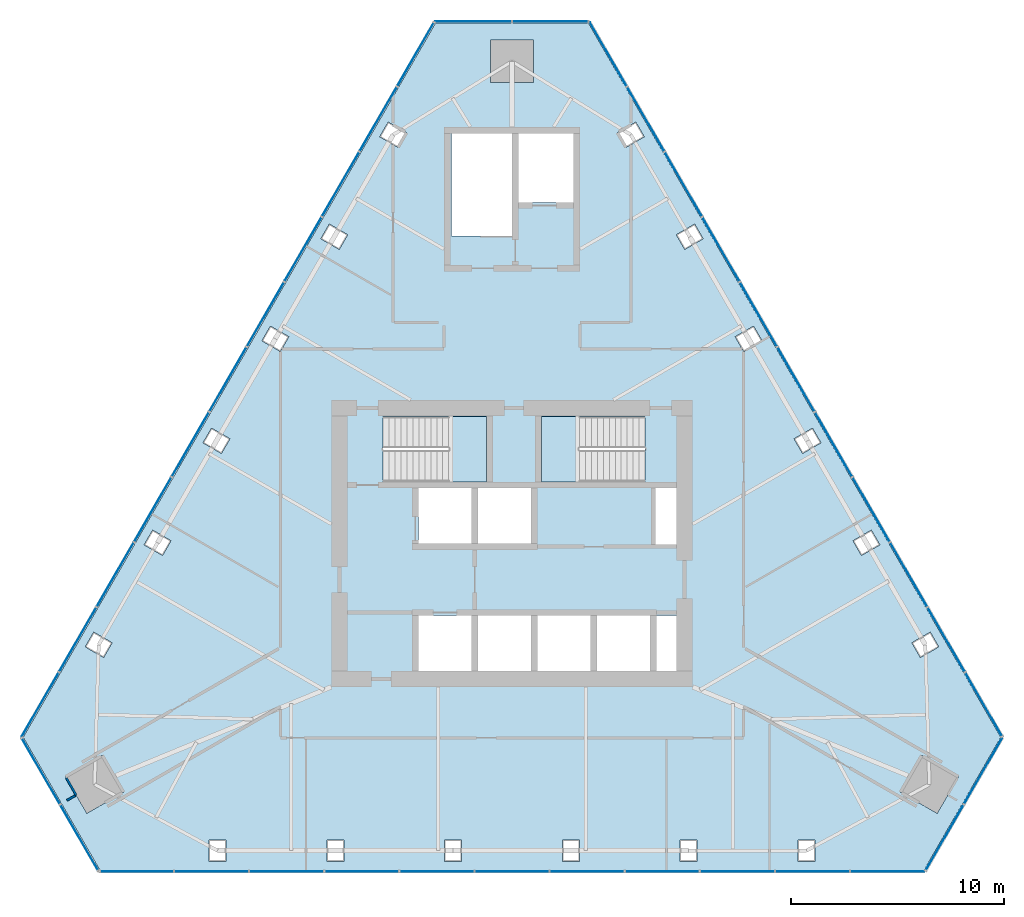
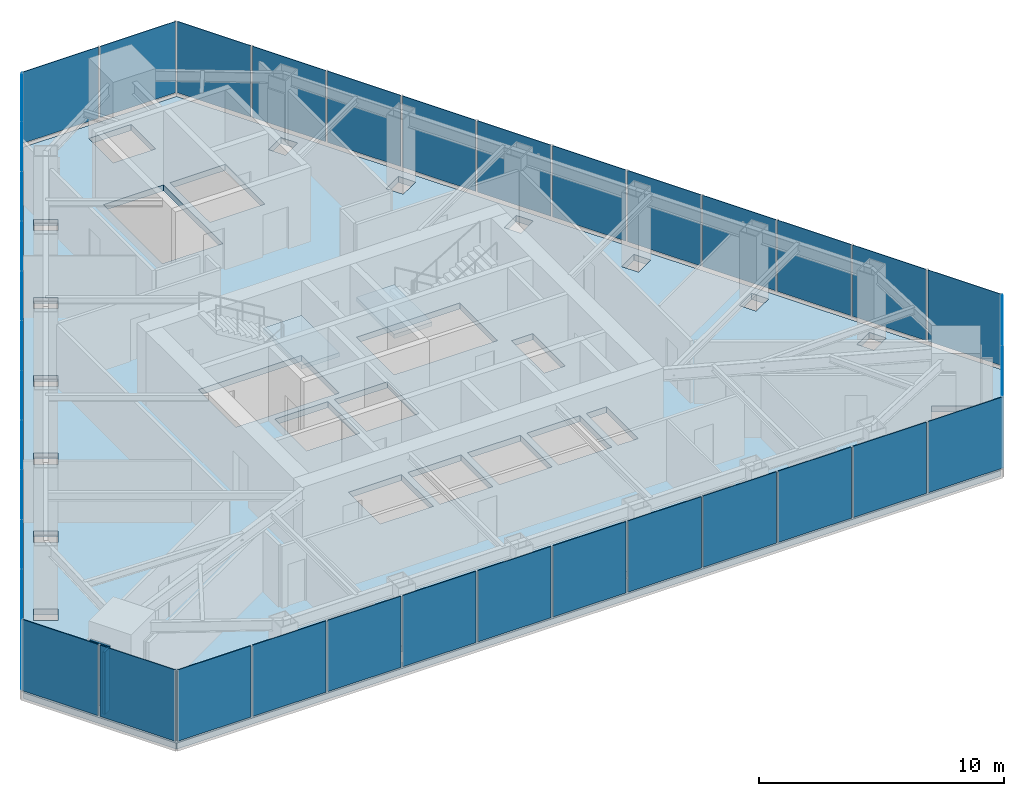
# One storey, part 10 of 13: 39 plates, 3 slabs, 2 walls, 8 elements without a shape of their own.
"""IFC4 building model written with IfcOpenShell, lengths in metres."""

from ifc_helpers import new_model, si_unit, direction, frame, frame_2d, origin, place, context, subcontext, project, spatial, polyline, rectangle, outline, extrude, material, layer, layer_set, type_object, element, aggregate, save


model = new_model("IFC4")

# Units and contexts
model_context = context("Model", 3, precision=1e-05, world=origin(), true_north=direction((0.0, 1.0)))
body_context = subcontext(model_context, "Body", "Model", "MODEL_VIEW")
ifc_project = project(units=[si_unit("LENGTHUNIT", "METRE"), si_unit("AREAUNIT", "SQUARE_METRE"), si_unit("VOLUMEUNIT", "CUBIC_METRE"), si_unit("PLANEANGLEUNIT", "RADIAN"), si_unit("MASSUNIT", "GRAM", prefix="KILO")], contexts=[model_context])

# Site, building, storey
site_placement = place(None, origin())
site = spatial("IfcSite", under=ifc_project, at=site_placement, CompositionType="ELEMENT")
building_placement = place(site_placement, origin())
building = spatial("IfcBuilding", under=site, at=building_placement, Name="Firuza Gate Tower and Library", CompositionType="ELEMENT")
storey_placement = place(building_placement, frame((0.0, 0.0, 335.60009765625)))
storey = spatial("IfcBuildingStorey", under=building, at=storey_placement, Name="L82", CompositionType="ELEMENT", Elevation=335.60009765625)

# Curtain wall, plates
ifc_material_1 = material(Name="Aluminium 6063-T6", Category="aluminium")
ifc_layer_1 = layer(ifc_material_1, 0.14990234375)
ifc_layer_set_1 = layer_set([ifc_layer_1], Name="Ceramic screen wall, crown plant")
curtain_wall_type = type_object("IfcCurtainWallType", Name="Ceramic screen wall, crown plant", PredefinedType="NOTDEFINED", material=ifc_layer_set_1)
placement_1 = place(storey_placement, origin())
curtain_wall_1 = element("IfcCurtainWall", 1, at=placement_1, inside=storey, type_object=curtain_wall_type, Name="CW6 L82 S", PredefinedType="NOTDEFINED")
ifc_material_2 = material(Name="Fritted glass", Category="glass")
ifc_layer_2 = layer(ifc_material_2, 0.06005859375)
ifc_layer_set_2 = layer_set([ifc_layer_2], Name="Ceramic screen unit, crown plant")
plate_type = type_object("IfcPlateType", Name="Ceramic screen unit, crown plant", PredefinedType="CURTAIN_PANEL", material=ifc_layer_set_2)
plate_1_placement = place(storey_placement, frame((55.5966796875, 59.552490234375, 0.14990234375), z_axis=(0.0, -1.0, 0.0), x_axis=(1.0, 0.0, 0.0)))
plate_1 = element("IfcPlate", 2, at=plate_1_placement, type_object=plate_type, Name="Glass unit", PredefinedType="CURTAIN_PANEL", context=body_context, shape_type="SweptSolid", body=[
    extrude(outline(polyline([(0.0, 0.0), (3.455078125, 0.0), (3.455078125, 3.550048828125), (0.0, 3.550048828125), (0.0, 0.0)])), origin(), (0.0, 0.0, -1.0), 0.030029296875),
])
plate_2_placement = place(storey_placement, frame((59.1318359375, 59.552490234375, 0.14990234375), z_axis=(0.0, -1.0, 0.0), x_axis=(1.0, 0.0, 0.0)))
plate_2 = element("IfcPlate", 3, at=plate_2_placement, type_object=plate_type, Name="Glass unit", PredefinedType="CURTAIN_PANEL", context=body_context, shape_type="SweptSolid", body=[
    extrude(outline(polyline([(0.0, 0.0), (3.455078125, 0.0), (3.455078125, 3.550048828125), (0.0, 3.550048828125), (0.0, 0.0)])), origin(), (0.0, 0.0, -1.0), 0.030029296875),
])
plate_3_placement = place(storey_placement, frame((62.6669921875, 59.552490234375, 0.14990234375), z_axis=(0.0, -1.0, 0.0), x_axis=(1.0, 0.0, 0.0)))
plate_3 = element("IfcPlate", 4, at=plate_3_placement, type_object=plate_type, Name="Glass unit", PredefinedType="CURTAIN_PANEL", context=body_context, shape_type="SweptSolid", body=[
    extrude(outline(polyline([(0.0, 0.0), (3.455078125, 0.0), (3.455078125, 3.550048828125), (0.0, 3.550048828125), (0.0, 0.0)])), origin(), (0.0, 0.0, -1.0), 0.030029296875),
])
plate_4_placement = place(storey_placement, frame((66.2021484375, 59.552490234375, 0.14990234375), z_axis=(0.0, -1.0, 0.0), x_axis=(1.0, 0.0, 0.0)))
plate_4 = element("IfcPlate", 5, at=plate_4_placement, type_object=plate_type, Name="Glass unit", PredefinedType="CURTAIN_PANEL", context=body_context, shape_type="SweptSolid", body=[
    extrude(outline(polyline([(0.0, 0.0), (3.455078125, 0.0), (3.455078125, 3.550048828125), (0.0, 3.550048828125), (0.0, 0.0)])), origin(), (0.0, 0.0, -1.0), 0.030029296875),
])
plate_5_placement = place(storey_placement, frame((69.7373046875, 59.552490234375, 0.14990234375), z_axis=(0.0, -1.0, 0.0), x_axis=(1.0, 0.0, 0.0)))
plate_5 = element("IfcPlate", 6, at=plate_5_placement, type_object=plate_type, Name="Glass unit", PredefinedType="CURTAIN_PANEL", context=body_context, shape_type="SweptSolid", body=[
    extrude(outline(polyline([(0.0, 0.0), (3.455078125, 0.0), (3.455078125, 3.550048828125), (0.0, 3.550048828125), (0.0, 0.0)])), origin(), (0.0, 0.0, -1.0), 0.030029296875),
])
plate_6_placement = place(storey_placement, frame((73.2724609375, 59.552490234375, 0.14990234375), z_axis=(0.0, -1.0, 0.0), x_axis=(1.0, 0.0, 0.0)))
plate_6 = element("IfcPlate", 7, at=plate_6_placement, type_object=plate_type, Name="Glass unit", PredefinedType="CURTAIN_PANEL", context=body_context, shape_type="SweptSolid", body=[
    extrude(outline(polyline([(0.0, 0.0), (3.455078125, 0.0), (3.455078125, 3.550048828125), (0.0, 3.550048828125), (0.0, 0.0)])), origin(), (0.0, 0.0, -1.0), 0.030029296875),
])
plate_7_placement = place(storey_placement, frame((76.8076171875, 59.552490234375, 0.14990234375), z_axis=(0.0, -1.0, 0.0), x_axis=(1.0, 0.0, 0.0)))
plate_7 = element("IfcPlate", 8, at=plate_7_placement, type_object=plate_type, Name="Glass unit", PredefinedType="CURTAIN_PANEL", context=body_context, shape_type="SweptSolid", body=[
    extrude(outline(polyline([(0.0, 0.0), (3.455078125, 0.0), (3.455078125, 3.550048828125), (0.0, 3.550048828125), (0.0, 0.0)])), origin(), (0.0, 0.0, -1.0), 0.030029296875),
])
plate_8_placement = place(storey_placement, frame((80.3427734375, 59.552490234375, 0.14990234375), z_axis=(0.0, -1.0, 0.0), x_axis=(1.0, 0.0, 0.0)))
plate_8 = element("IfcPlate", 9, at=plate_8_placement, type_object=plate_type, Name="Glass unit", PredefinedType="CURTAIN_PANEL", context=body_context, shape_type="SweptSolid", body=[
    extrude(outline(polyline([(0.0, 0.0), (3.455078125, 0.0), (3.455078125, 3.550048828125), (0.0, 3.550048828125), (0.0, 0.0)])), origin(), (0.0, 0.0, -1.0), 0.030029296875),
])
plate_9_placement = place(storey_placement, frame((83.8779296875, 59.552490234375, 0.14990234375), z_axis=(0.0, -1.0, 0.0), x_axis=(1.0, 0.0, 0.0)))
plate_9 = element("IfcPlate", 10, at=plate_9_placement, type_object=plate_type, Name="Glass unit", PredefinedType="CURTAIN_PANEL", context=body_context, shape_type="SweptSolid", body=[
    extrude(outline(polyline([(0.0, 0.0), (3.455078125, 0.0), (3.455078125, 3.550048828125), (0.0, 3.550048828125), (0.0, 0.0)])), origin(), (0.0, 0.0, -1.0), 0.030029296875),
])
plate_10_placement = place(storey_placement, frame((87.4130859375, 59.552490234375, 0.14990234375), z_axis=(0.0, -1.0, 0.0), x_axis=(1.0, 0.0, 0.0)))
plate_10 = element("IfcPlate", 11, at=plate_10_placement, type_object=plate_type, Name="Glass unit", PredefinedType="CURTAIN_PANEL", context=body_context, shape_type="SweptSolid", body=[
    extrude(outline(polyline([(0.0, 0.0), (3.455078125, 0.0), (3.455078125, 3.550048828125), (0.0, 3.550048828125), (0.0, 0.0)])), origin(), (0.0, 0.0, -1.0), 0.030029296875),
])
plate_11_placement = place(storey_placement, frame((90.9482421875, 59.552490234375, 0.14990234375), z_axis=(0.0, -1.0, 0.0), x_axis=(1.0, 0.0, 0.0)))
plate_11 = element("IfcPlate", 12, at=plate_11_placement, type_object=plate_type, Name="Glass unit", PredefinedType="CURTAIN_PANEL", context=body_context, shape_type="SweptSolid", body=[
    extrude(outline(polyline([(0.0, 0.0), (3.455078125, 0.0), (3.455078125, 3.550048828125), (0.0, 3.550048828125), (0.0, 0.0)])), origin(), (0.0, 0.0, -1.0), 0.030029296875),
])
aggregate(curtain_wall_1, [plate_1, plate_2, plate_3, plate_4, plate_5, plate_6, plate_7, plate_8, plate_9, plate_10, plate_11])

curtain_wall_2 = element("IfcCurtainWall", 13, at=placement_1, inside=storey, type_object=curtain_wall_type, Name="CW6 L82 SE", PredefinedType="NOTDEFINED")
plate_12_placement = place(storey_placement, frame((94.476318359375, 59.5947265625, 0.14990234375), z_axis=(0.865999591991, -0.500044704672, 0.0), x_axis=(0.500044704672, 0.865999591991, 0.0)))
plate_12 = element("IfcPlate", 14, at=plate_12_placement, type_object=plate_type, Name="Glass unit", PredefinedType="CURTAIN_PANEL", context=body_context, shape_type="SweptSolid", body=[
    extrude(outline(polyline([(0.0, 0.0), (3.563157982880169, 0.0), (3.563157982880169, 3.550048828125), (0.0, 3.550048828125), (0.0, 0.0)])), origin(), (0.0, 0.0, -1.0), 0.030029296875),
])
plate_13_placement = place(storey_placement, frame((96.2978515625, 62.749755859375, 0.14990234375), z_axis=(0.866016723041, -0.500015035186, 0.0), x_axis=(0.500015035186, 0.866016723041, 0.0)))
plate_13 = element("IfcPlate", 15, at=plate_13_placement, type_object=plate_type, Name="Glass unit", PredefinedType="CURTAIN_PANEL", context=body_context, shape_type="SweptSolid", body=[
    extrude(outline(polyline([(0.0, 0.0), (3.5633694106530625, 0.0), (3.5633694106530625, 3.550048828125), (0.0, 3.550048828125), (0.0, 0.0)])), origin(), (0.0, 0.0, -1.0), 0.030029296875),
])
aggregate(curtain_wall_2, [plate_12, plate_13])

curtain_wall_3 = element("IfcCurtainWall", 16, at=placement_1, inside=storey, type_object=curtain_wall_type, Name="CW6 L82 E", PredefinedType="NOTDEFINED")
plate_14_placement = place(storey_placement, frame((98.07958984375, 65.919921875, 0.14990234375), z_axis=(0.866043217385, 0.49996914467, 0.0), x_axis=(-0.49996914467, 0.866043217385, 0.0)))
plate_14 = element("IfcPlate", 17, at=plate_14_placement, type_object=plate_type, Name="Glass unit", PredefinedType="CURTAIN_PANEL", context=body_context, shape_type="SweptSolid", body=[
    extrude(outline(polyline([(0.0, 0.0), (3.4552913533126275, 0.0), (3.4552913533126275, 3.550048828125001), (0.0, 3.550048828125001), (0.0, 0.0)])), origin(), (0.0, 0.0, -1.0), 0.030029296875),
])
plate_15_placement = place(storey_placement, frame((96.31201171875, 68.9814453125, 0.14990234375), z_axis=(0.866043217385, 0.49996914467, 0.0), x_axis=(-0.49996914467, 0.866043217385, 0.0)))
plate_15 = element("IfcPlate", 18, at=plate_15_placement, type_object=plate_type, Name="Glass unit", PredefinedType="CURTAIN_PANEL", context=body_context, shape_type="SweptSolid", body=[
    extrude(outline(polyline([(0.0, 0.0), (3.4552913533126275, 0.0), (3.4552913533126275, 3.550048828125001), (0.0, 3.550048828125001), (0.0, 0.0)])), origin(), (0.0, 0.0, -1.0), 0.030029296875),
])
plate_16_placement = place(storey_placement, frame((94.54443359375, 72.04296875, 0.14990234375), z_axis=(0.866043217385, 0.49996914467, 0.0), x_axis=(-0.49996914467, 0.866043217385, 0.0)))
plate_16 = element("IfcPlate", 19, at=plate_16_placement, type_object=plate_type, Name="Glass unit", PredefinedType="CURTAIN_PANEL", context=body_context, shape_type="SweptSolid", body=[
    extrude(outline(polyline([(0.0, 0.0), (3.4552913533126275, 0.0), (3.4552913533126275, 3.550048828125001), (0.0, 3.550048828125001), (0.0, 0.0)])), origin(), (0.0, 0.0, -1.0), 0.030029296875),
])
plate_17_placement = place(storey_placement, frame((92.77685546875, 75.1044921875, 0.14990234375), z_axis=(0.866043217385, 0.49996914467, 0.0), x_axis=(-0.49996914467, 0.866043217385, 0.0)))
plate_17 = element("IfcPlate", 20, at=plate_17_placement, type_object=plate_type, Name="Glass unit", PredefinedType="CURTAIN_PANEL", context=body_context, shape_type="SweptSolid", body=[
    extrude(outline(polyline([(0.0, 0.0), (3.4552913533126275, 0.0), (3.4552913533126275, 3.550048828125001), (0.0, 3.550048828125001), (0.0, 0.0)])), origin(), (0.0, 0.0, -1.0), 0.030029296875),
])
plate_18_placement = place(storey_placement, frame((91.00927734375, 78.166015625, 0.14990234375), z_axis=(0.866043217385, 0.49996914467, 0.0), x_axis=(-0.49996914467, 0.866043217385, 0.0)))
plate_18 = element("IfcPlate", 21, at=plate_18_placement, type_object=plate_type, Name="Glass unit", PredefinedType="CURTAIN_PANEL", context=body_context, shape_type="SweptSolid", body=[
    extrude(outline(polyline([(0.0, 0.0), (3.4552913533126275, 0.0), (3.4552913533126275, 3.550048828125001), (0.0, 3.550048828125001), (0.0, 0.0)])), origin(), (0.0, 0.0, -1.0), 0.030029296875),
])
plate_19_placement = place(storey_placement, frame((89.24169921875, 81.2275390625, 0.14990234375), z_axis=(0.866043217385, 0.49996914467, 0.0), x_axis=(-0.49996914467, 0.866043217385, 0.0)))
plate_19 = element("IfcPlate", 22, at=plate_19_placement, type_object=plate_type, Name="Glass unit", PredefinedType="CURTAIN_PANEL", context=body_context, shape_type="SweptSolid", body=[
    extrude(outline(polyline([(0.0, 0.0), (3.4552913533126275, 0.0), (3.4552913533126275, 3.550048828125001), (0.0, 3.550048828125001), (0.0, 0.0)])), origin(), (0.0, 0.0, -1.0), 0.030029296875),
])
plate_20_placement = place(storey_placement, frame((87.47412109375, 84.2890625, 0.14990234375), z_axis=(0.866043217385, 0.49996914467, 0.0), x_axis=(-0.49996914467, 0.866043217385, 0.0)))
plate_20 = element("IfcPlate", 23, at=plate_20_placement, type_object=plate_type, Name="Glass unit", PredefinedType="CURTAIN_PANEL", context=body_context, shape_type="SweptSolid", body=[
    extrude(outline(polyline([(0.0, 0.0), (3.4552913533126275, 0.0), (3.4552913533126275, 3.550048828125001), (0.0, 3.550048828125001), (0.0, 0.0)])), origin(), (0.0, 0.0, -1.0), 0.030029296875),
])
plate_21_placement = place(storey_placement, frame((85.70654296875, 87.3505859375, 0.14990234375), z_axis=(0.866043217385, 0.49996914467, 0.0), x_axis=(-0.49996914467, 0.866043217385, 0.0)))
plate_21 = element("IfcPlate", 24, at=plate_21_placement, type_object=plate_type, Name="Glass unit", PredefinedType="CURTAIN_PANEL", context=body_context, shape_type="SweptSolid", body=[
    extrude(outline(polyline([(0.0, 0.0), (3.4552913533126275, 0.0), (3.4552913533126275, 3.550048828125001), (0.0, 3.550048828125001), (0.0, 0.0)])), origin(), (0.0, 0.0, -1.0), 0.030029296875),
])
plate_22_placement = place(storey_placement, frame((83.93896484375, 90.412109375, 0.14990234375), z_axis=(0.866043217385, 0.49996914467, 0.0), x_axis=(-0.49996914467, 0.866043217385, 0.0)))
plate_22 = element("IfcPlate", 25, at=plate_22_placement, type_object=plate_type, Name="Glass unit", PredefinedType="CURTAIN_PANEL", context=body_context, shape_type="SweptSolid", body=[
    extrude(outline(polyline([(0.0, 0.0), (3.4552913533126275, 0.0), (3.4552913533126275, 3.550048828125001), (0.0, 3.550048828125001), (0.0, 0.0)])), origin(), (0.0, 0.0, -1.0), 0.030029296875),
])
plate_23_placement = place(storey_placement, frame((82.17138671875, 93.4736328125, 0.14990234375), z_axis=(0.866043217385, 0.49996914467, 0.0), x_axis=(-0.49996914467, 0.866043217385, 0.0)))
plate_23 = element("IfcPlate", 26, at=plate_23_placement, type_object=plate_type, Name="Glass unit", PredefinedType="CURTAIN_PANEL", context=body_context, shape_type="SweptSolid", body=[
    extrude(outline(polyline([(0.0, 0.0), (3.4552913533126275, 0.0), (3.4552913533126275, 3.550048828125001), (0.0, 3.550048828125001), (0.0, 0.0)])), origin(), (0.0, 0.0, -1.0), 0.030029296875),
])
plate_24_placement = place(storey_placement, frame((80.40380859375, 96.53515625, 0.14990234375), z_axis=(0.866043217385, 0.49996914467, 0.0), x_axis=(-0.49996914467, 0.866043217385, 0.0)))
plate_24 = element("IfcPlate", 27, at=plate_24_placement, type_object=plate_type, Name="Glass unit", PredefinedType="CURTAIN_PANEL", context=body_context, shape_type="SweptSolid", body=[
    extrude(outline(polyline([(0.0, 0.0), (3.4552913533126275, 0.0), (3.4552913533126275, 3.550048828125001), (0.0, 3.550048828125001), (0.0, 0.0)])), origin(), (0.0, 0.0, -1.0), 0.030029296875),
])
aggregate(curtain_wall_3, [plate_14, plate_15, plate_16, plate_17, plate_18, plate_19, plate_20, plate_21, plate_22, plate_23, plate_24])

curtain_wall_4 = element("IfcCurtainWall", 28, at=placement_1, inside=storey, type_object=curtain_wall_type, Name="CW6 L82 N", PredefinedType="NOTDEFINED")
plate_25_placement = place(storey_placement, frame((78.603271484375, 99.569580078125, 0.14990234375), z_axis=(0.0, 1.0, 0.0), x_axis=(-1.0, 0.0, 0.0)))
plate_25 = element("IfcPlate", 29, at=plate_25_placement, type_object=plate_type, Name="Glass unit", PredefinedType="CURTAIN_PANEL", context=body_context, shape_type="SweptSolid", body=[
    extrude(outline(polyline([(0.0, 0.0), (3.563232421875, 0.0), (3.563232421875, 3.550048828125), (0.0, 3.550048828125), (0.0, 0.0)])), origin(), (0.0, 0.0, -1.0), 0.030029296875),
])
plate_26_placement = place(storey_placement, frame((74.9599609375, 99.569580078125, 0.14990234375), z_axis=(0.0, 1.0, 0.0), x_axis=(-1.0, 0.0, 0.0)))
plate_26 = element("IfcPlate", 30, at=plate_26_placement, type_object=plate_type, Name="Glass unit", PredefinedType="CURTAIN_PANEL", context=body_context, shape_type="SweptSolid", body=[
    extrude(outline(polyline([(0.0, 0.0), (3.563232421875, 0.0), (3.563232421875, 3.550048828125), (0.0, 3.550048828125), (0.0, 0.0)])), origin(), (0.0, 0.0, -1.0), 0.030029296875),
])
aggregate(curtain_wall_4, [plate_25, plate_26])

curtain_wall_5 = element("IfcCurtainWall", 31, at=placement_1, inside=storey, type_object=curtain_wall_type, Name="CW6 L82 W", PredefinedType="NOTDEFINED")
plate_27_placement = place(storey_placement, frame((71.32373046875, 99.527587890625, 0.14990234375), z_axis=(-0.866043217385, 0.49996914467, 0.0), x_axis=(-0.49996914467, -0.866043217385, 0.0)))
plate_27 = element("IfcPlate", 32, at=plate_27_placement, type_object=plate_type, Name="Glass unit", PredefinedType="CURTAIN_PANEL", context=body_context, shape_type="SweptSolid", body=[
    extrude(outline(polyline([(0.0, 0.0), (3.4552913533126275, 0.0), (3.4552913533126275, 3.550048828125001), (0.0, 3.550048828125001), (0.0, 0.0)])), origin(), (0.0, 0.0, -1.0), 0.030029296875),
])
plate_28_placement = place(storey_placement, frame((69.55615234375, 96.466064453125, 0.14990234375), z_axis=(-0.866043217385, 0.49996914467, 0.0), x_axis=(-0.49996914467, -0.866043217385, 0.0)))
plate_28 = element("IfcPlate", 33, at=plate_28_placement, type_object=plate_type, Name="Glass unit", PredefinedType="CURTAIN_PANEL", context=body_context, shape_type="SweptSolid", body=[
    extrude(outline(polyline([(0.0, 0.0), (3.4552913533126275, 0.0), (3.4552913533126275, 3.550048828125001), (0.0, 3.550048828125001), (0.0, 0.0)])), origin(), (0.0, 0.0, -1.0), 0.030029296875),
])
plate_29_placement = place(storey_placement, frame((67.78857421875, 93.404541015625, 0.14990234375), z_axis=(-0.866043217385, 0.49996914467, 0.0), x_axis=(-0.49996914467, -0.866043217385, 0.0)))
plate_29 = element("IfcPlate", 34, at=plate_29_placement, type_object=plate_type, Name="Glass unit", PredefinedType="CURTAIN_PANEL", context=body_context, shape_type="SweptSolid", body=[
    extrude(outline(polyline([(0.0, 0.0), (3.4552913533126275, 0.0), (3.4552913533126275, 3.550048828125001), (0.0, 3.550048828125001), (0.0, 0.0)])), origin(), (0.0, 0.0, -1.0), 0.030029296875),
])
plate_30_placement = place(storey_placement, frame((66.02099609375, 90.343017578125, 0.14990234375), z_axis=(-0.866043217385, 0.49996914467, 0.0), x_axis=(-0.49996914467, -0.866043217385, 0.0)))
plate_30 = element("IfcPlate", 35, at=plate_30_placement, type_object=plate_type, Name="Glass unit", PredefinedType="CURTAIN_PANEL", context=body_context, shape_type="SweptSolid", body=[
    extrude(outline(polyline([(0.0, 0.0), (3.4552913533126275, 0.0), (3.4552913533126275, 3.550048828125001), (0.0, 3.550048828125001), (0.0, 0.0)])), origin(), (0.0, 0.0, -1.0), 0.030029296875),
])
plate_31_placement = place(storey_placement, frame((64.25341796875, 87.281494140625, 0.14990234375), z_axis=(-0.866043217385, 0.49996914467, 0.0), x_axis=(-0.49996914467, -0.866043217385, 0.0)))
plate_31 = element("IfcPlate", 36, at=plate_31_placement, type_object=plate_type, Name="Glass unit", PredefinedType="CURTAIN_PANEL", context=body_context, shape_type="SweptSolid", body=[
    extrude(outline(polyline([(0.0, 0.0), (3.4552913533126275, 0.0), (3.4552913533126275, 3.550048828125001), (0.0, 3.550048828125001), (0.0, 0.0)])), origin(), (0.0, 0.0, -1.0), 0.030029296875),
])
plate_32_placement = place(storey_placement, frame((62.48583984375, 84.219970703125, 0.14990234375), z_axis=(-0.866043217385, 0.49996914467, 0.0), x_axis=(-0.49996914467, -0.866043217385, 0.0)))
plate_32 = element("IfcPlate", 37, at=plate_32_placement, type_object=plate_type, Name="Glass unit", PredefinedType="CURTAIN_PANEL", context=body_context, shape_type="SweptSolid", body=[
    extrude(outline(polyline([(0.0, 0.0), (3.4552913533126275, 0.0), (3.4552913533126275, 3.550048828125001), (0.0, 3.550048828125001), (0.0, 0.0)])), origin(), (0.0, 0.0, -1.0), 0.030029296875),
])
plate_33_placement = place(storey_placement, frame((60.71826171875, 81.158447265625, 0.14990234375), z_axis=(-0.866043217385, 0.49996914467, 0.0), x_axis=(-0.49996914467, -0.866043217385, 0.0)))
plate_33 = element("IfcPlate", 38, at=plate_33_placement, type_object=plate_type, Name="Glass unit", PredefinedType="CURTAIN_PANEL", context=body_context, shape_type="SweptSolid", body=[
    extrude(outline(polyline([(0.0, 0.0), (3.4552913533126275, 0.0), (3.4552913533126275, 3.550048828125001), (0.0, 3.550048828125001), (0.0, 0.0)])), origin(), (0.0, 0.0, -1.0), 0.030029296875),
])
plate_34_placement = place(storey_placement, frame((58.95068359375, 78.096923828125, 0.14990234375), z_axis=(-0.866043217385, 0.49996914467, 0.0), x_axis=(-0.49996914467, -0.866043217385, 0.0)))
plate_34 = element("IfcPlate", 39, at=plate_34_placement, type_object=plate_type, Name="Glass unit", PredefinedType="CURTAIN_PANEL", context=body_context, shape_type="SweptSolid", body=[
    extrude(outline(polyline([(0.0, 0.0), (3.4552913533126275, 0.0), (3.4552913533126275, 3.550048828125001), (0.0, 3.550048828125001), (0.0, 0.0)])), origin(), (0.0, 0.0, -1.0), 0.030029296875),
])
plate_35_placement = place(storey_placement, frame((57.18310546875, 75.035400390625, 0.14990234375), z_axis=(-0.866043217385, 0.49996914467, 0.0), x_axis=(-0.49996914467, -0.866043217385, 0.0)))
plate_35 = element("IfcPlate", 40, at=plate_35_placement, type_object=plate_type, Name="Glass unit", PredefinedType="CURTAIN_PANEL", context=body_context, shape_type="SweptSolid", body=[
    extrude(outline(polyline([(0.0, 0.0), (3.4552913533126275, 0.0), (3.4552913533126275, 3.550048828125001), (0.0, 3.550048828125001), (0.0, 0.0)])), origin(), (0.0, 0.0, -1.0), 0.030029296875),
])
plate_36_placement = place(storey_placement, frame((55.41552734375, 71.973876953125, 0.14990234375), z_axis=(-0.866043217385, 0.49996914467, 0.0), x_axis=(-0.49996914467, -0.866043217385, 0.0)))
plate_36 = element("IfcPlate", 41, at=plate_36_placement, type_object=plate_type, Name="Glass unit", PredefinedType="CURTAIN_PANEL", context=body_context, shape_type="SweptSolid", body=[
    extrude(outline(polyline([(0.0, 0.0), (3.4552913533126275, 0.0), (3.4552913533126275, 3.550048828125001), (0.0, 3.550048828125001), (0.0, 0.0)])), origin(), (0.0, 0.0, -1.0), 0.030029296875),
])
plate_37_placement = place(storey_placement, frame((53.64794921875, 68.912353515625, 0.14990234375), z_axis=(-0.866043217385, 0.49996914467, 0.0), x_axis=(-0.49996914467, -0.866043217385, 0.0)))
plate_37 = element("IfcPlate", 42, at=plate_37_placement, type_object=plate_type, Name="Glass unit", PredefinedType="CURTAIN_PANEL", context=body_context, shape_type="SweptSolid", body=[
    extrude(outline(polyline([(0.0, 0.0), (3.4552913533126275, 0.0), (3.4552913533126275, 3.550048828125001), (0.0, 3.550048828125001), (0.0, 0.0)])), origin(), (0.0, 0.0, -1.0), 0.030029296875),
])
aggregate(curtain_wall_5, [plate_27, plate_28, plate_29, plate_30, plate_31, plate_32, plate_33, plate_34, plate_35, plate_36, plate_37])

curtain_wall_6 = element("IfcCurtainWall", 43, at=placement_1, inside=storey, type_object=curtain_wall_type, Name="CW6 L82 SW", PredefinedType="NOTDEFINED")
plate_38_placement = place(storey_placement, frame((51.92041015625, 65.835693359375, 0.14990234375), z_axis=(-0.866016723041, -0.500015035186, 0.0), x_axis=(0.500015035186, -0.866016723041, 0.0)))
plate_38 = element("IfcPlate", 44, at=plate_38_placement, type_object=plate_type, Name="Glass unit", PredefinedType="CURTAIN_PANEL", context=body_context, shape_type="SweptSolid", body=[
    extrude(outline(polyline([(0.0, 0.0), (3.5633694106530625, 0.0), (3.5633694106530625, 3.550048828125), (0.0, 3.550048828125), (0.0, 0.0)])), origin(), (0.0, 0.0, -1.0), 0.030029296875),
])
plate_39_placement = place(storey_placement, frame((53.741943359375, 62.680419921875, 0.14990234375), z_axis=(-0.865999591991, -0.500044704672, 0.0), x_axis=(0.500044704672, -0.865999591991, 0.0)))
plate_39 = element("IfcPlate", 45, at=plate_39_placement, type_object=plate_type, Name="Glass unit", PredefinedType="CURTAIN_PANEL", context=body_context, shape_type="SweptSolid", body=[
    extrude(outline(polyline([(0.0, 0.0), (3.563157982880169, 0.0), (3.563157982880169, 3.550048828125), (0.0, 3.550048828125), (0.0, 0.0)])), origin(), (0.0, 0.0, -1.0), 0.030029296875),
])
aggregate(curtain_wall_6, [plate_38, plate_39])

# Slab
ifc_material_3 = material(Name="Concrete C40/50", Category="concrete")
ifc_layer_3 = layer(ifc_material_3, 0.300048828125)
ifc_layer_set_3 = layer_set([ifc_layer_3], Name="Composite floor slab 300 C40/50")
slab_type_1 = type_object("IfcSlabType", Name="Composite floor slab 300 C40/50", PredefinedType="FLOOR", material=ifc_layer_set_3)
slab_1_placement = place(storey_placement, frame((0.0, 0.0, -0.300048828125)))
element("IfcSlab", 46, at=slab_1_placement, inside=storey, type_object=slab_type_1, Name="Floor slab L82", PredefinedType="FLOOR", context=body_context, shape_type="SweptSolid", body=[
    extrude(outline(polyline([(52.0, 65.8779296875), (55.60009765625, 59.642578125), (94.39990234375, 59.642578125), (98.0, 65.8779296875), (78.60009765625, 99.479736328125), (71.39990234375, 99.479736328125), (52.0, 65.8779296875)]), holes=[polyline([(60.742919921875, 60.04248046875), (60.742919921875, 61.04248046875), (61.54296875, 61.04248046875), (61.54296875, 60.04248046875), (60.742919921875, 60.04248046875)]), polyline([(66.28564453125, 60.04248046875), (66.28564453125, 61.04248046875), (67.085693359375, 61.04248046875), (67.085693359375, 60.04248046875), (66.28564453125, 60.04248046875)]), polyline([(71.82861328125, 60.04248046875), (71.82861328125, 61.04248046875), (72.628662109375, 61.04248046875), (72.628662109375, 60.04248046875), (71.82861328125, 60.04248046875)]), polyline([(53.992919921875, 64.026123046875), (55.724853515625, 65.026123046875), (56.724853515625, 63.294189453125), (54.992919921875, 62.294189453125), (53.992919921875, 64.026123046875)]), polyline([(55.31787109375, 70.824462890625), (56.183837890625, 70.324462890625), (55.783935546875, 69.631591796875), (54.917724609375, 70.131591796875), (55.31787109375, 70.824462890625)]), polyline([(73.10009765625, 69.0), (70.60009765625, 69.0), (70.60009765625, 71.60009765625), (73.10009765625, 71.60009765625), (73.10009765625, 69.0)]), polyline([(75.89990234375, 69.0), (73.39990234375, 69.0), (73.39990234375, 71.60009765625), (75.89990234375, 71.60009765625), (75.89990234375, 69.0)]), polyline([(58.08935546875, 75.624755859375), (58.955322265625, 75.124755859375), (58.55517578125, 74.431884765625), (57.689208984375, 74.931884765625), (58.08935546875, 75.624755859375)]), polyline([(73.10009765625, 75.0), (70.60009765625, 75.0), (70.60009765625, 77.60009765625), (73.10009765625, 77.60009765625), (73.10009765625, 75.0)]), polyline([(75.89990234375, 75.0), (73.39990234375, 75.0), (73.39990234375, 77.60009765625), (75.89990234375, 77.60009765625), (75.89990234375, 75.0)]), polyline([(68.9404296875, 77.89990234375), (68.9404296875, 80.97998046875), (73.81005859375, 80.97998046875), (73.81005859375, 77.89990234375), (68.9404296875, 77.89990234375)]), polyline([(60.860595703125, 80.425048828125), (61.726806640625, 79.925048828125), (61.32666015625, 79.232177734375), (60.460693359375, 79.732177734375), (60.860595703125, 80.425048828125)]), polyline([(63.632080078125, 85.225341796875), (64.498046875, 84.725341796875), (64.09814453125, 84.032470703125), (63.232177734375, 84.532470703125), (63.632080078125, 85.225341796875)]), polyline([(66.403564453125, 90.025634765625), (67.26953125, 89.525634765625), (66.86962890625, 88.832763671875), (66.003662109375, 89.332763671875), (66.403564453125, 90.025634765625)]), polyline([(72.159912109375, 89.470458984375), (72.159912109375, 94.300048828125), (75.0, 94.300048828125), (75.0, 89.470458984375), (72.159912109375, 89.470458984375)]), polyline([(69.175048828125, 94.825927734375), (70.041015625, 94.325927734375), (69.64111328125, 93.633056640625), (68.77490234375, 94.133056640625), (69.175048828125, 94.825927734375)]), polyline([(76.0, 98.6796875), (76.0, 96.6796875), (74.0, 96.6796875), (74.0, 98.6796875), (76.0, 98.6796875)]), polyline([(77.371337890625, 60.04248046875), (77.371337890625, 61.04248046875), (78.17138671875, 61.04248046875), (78.17138671875, 60.04248046875), (77.371337890625, 60.04248046875)]), polyline([(82.914306640625, 60.04248046875), (82.914306640625, 61.04248046875), (83.71435546875, 61.04248046875), (83.71435546875, 60.04248046875), (82.914306640625, 60.04248046875)]), polyline([(88.45703125, 60.04248046875), (88.45703125, 61.04248046875), (89.257080078125, 61.04248046875), (89.257080078125, 60.04248046875), (88.45703125, 60.04248046875)]), polyline([(95.007080078125, 62.294189453125), (93.275146484375, 63.294189453125), (94.275146484375, 65.026123046875), (96.007080078125, 64.026123046875), (95.007080078125, 62.294189453125)]), polyline([(95.082275390625, 70.131591796875), (94.216064453125, 69.631591796875), (93.816162109375, 70.324462890625), (94.68212890625, 70.824462890625), (95.082275390625, 70.131591796875)]), polyline([(78.699951171875, 69.0), (76.199951171875, 69.0), (76.199951171875, 71.60009765625), (78.699951171875, 71.60009765625), (78.699951171875, 69.0)]), polyline([(81.5, 69.0), (79.0, 69.0), (79.0, 71.60009765625), (81.5, 71.60009765625), (81.5, 69.0)]), polyline([(82.75, 69.0), (81.800048828125, 69.0), (81.800048828125, 71.60009765625), (82.75, 71.60009765625), (82.75, 69.0)]), polyline([(92.310791015625, 74.931884765625), (91.44482421875, 74.431884765625), (91.044677734375, 75.124755859375), (91.91064453125, 75.624755859375), (92.310791015625, 74.931884765625)]), polyline([(82.75, 74.949951171875), (81.75, 74.949951171875), (81.75, 77.60009765625), (82.75, 77.60009765625), (82.75, 74.949951171875)]), polyline([(81.259521484375, 80.97998046875), (81.259521484375, 77.89990234375), (76.389892578125, 77.89990234375), (76.389892578125, 80.97998046875), (81.259521484375, 80.97998046875)]), polyline([(89.539306640625, 79.732177734375), (88.67333984375, 79.232177734375), (88.273193359375, 79.925048828125), (89.139404296875, 80.425048828125), (89.539306640625, 79.732177734375)]), polyline([(86.767822265625, 84.532470703125), (85.90185546875, 84.032470703125), (85.501953125, 84.725341796875), (86.367919921875, 85.225341796875), (86.767822265625, 84.532470703125)]), polyline([(83.996337890625, 89.332763671875), (83.13037109375, 88.832763671875), (82.73046875, 89.525634765625), (83.596435546875, 90.025634765625), (83.996337890625, 89.332763671875)]), polyline([(75.300048828125, 91.050048828125), (75.300048828125, 94.300048828125), (77.89990234375, 94.300048828125), (77.89990234375, 91.050048828125), (75.300048828125, 91.050048828125)]), polyline([(80.35888671875, 93.633056640625), (79.958984375, 94.325927734375), (80.824951171875, 94.825927734375), (81.22509765625, 94.133056640625), (80.35888671875, 93.633056640625)])]), origin(), (0.0, 0.0, 1.0), 0.300048828125),
])

# Stair, slab
ifc_material_4 = material(Name="Concrete C35/45", Category="concrete")
stair_type = type_object("IfcStairType", Name="Exit stair ST9", PredefinedType="HALF_TURN_STAIR", material=ifc_material_4)
stair_1 = element("IfcStair", 47, at=placement_1, inside=storey, type_object=stair_type, Name="L82 Stair ST1", PredefinedType="HALF_TURN_STAIR")
ifc_material_5 = material(Name="Concrete C35/45", Category="concrete")
ifc_layer_4 = layer(ifc_material_5, 0.199951171875)
ifc_layer_set_4 = layer_set([ifc_layer_4], Name="Stair landing 200")
slab_type_2 = type_object("IfcSlabType", Name="Stair landing 200", PredefinedType="LANDING", material=ifc_layer_set_4)
placement_2 = place(storey_placement, frame((0.0, 0.0, 1.7998046875)))
slab_2 = element("IfcSlab", 48, at=placement_2, type_object=slab_type_2, Name="ST1 landing 1", PredefinedType="LANDING", context=body_context, shape_type="SweptSolid", body=[
    extrude(outline(polyline([(72.02001953125, 77.89990234375), (73.81005859375, 77.89990234375), (73.81005859375, 80.97998046875), (72.02001953125, 80.97998046875), (72.02001953125, 77.89990234375)])), origin(), (0.0, 0.0, 1.0), 0.2001953125),
])
aggregate(stair_1, [slab_2])

stair_2 = element("IfcStair", 49, at=placement_1, inside=storey, type_object=stair_type, Name="L82 Stair ST2", PredefinedType="HALF_TURN_STAIR")
slab_3 = element("IfcSlab", 50, at=placement_2, type_object=slab_type_2, Name="ST2 landing 1", PredefinedType="LANDING", context=body_context, shape_type="SweptSolid", body=[
    extrude(outline(polyline([(78.179931640625, 80.97998046875), (76.389892578125, 80.97998046875), (76.389892578125, 77.89990234375), (78.179931640625, 77.89990234375), (78.179931640625, 80.97998046875)])), origin(), (0.0, 0.0, 1.0), 0.2001953125),
])
aggregate(stair_2, [slab_3])

# Walls
ifc_material_6 = material(Name="Gypsum board partition")
ifc_layer_5 = layer(ifc_material_6, 0.10009765625)
ifc_layer_set_5 = layer_set([ifc_layer_5], Name="Partition 100 gypsum board on steel studs")
wall_type = type_object("IfcWallType", Name="Partition 100 gypsum board on steel studs", PredefinedType="PARTITIONING", material=ifc_layer_set_5)
wall_1_placement = place(storey_placement, frame((54.059814453125, 62.91015625, 0.0), z_axis=(0.0, 0.0, 1.0), x_axis=(0.866083962871, 0.499898558967, 0.0)))
element("IfcWall", 51, at=wall_1_placement, inside=storey, type_object=wall_type, Name="f:L82:w008", PredefinedType="PARTITIONING", context=body_context, shape_type="SweptSolid", body=[
    extrude(rectangle(XDim=0.43994140625, YDim=0.10009765625, at=frame_2d((0.219970703125, 0.0))), origin(), (0.0, 0.0, 1.0), 3.099853515625),
])
wall_2_placement = place(storey_placement, frame((54.49267578125, 63.16015625, 0.0), z_axis=(0.0, 0.0, 1.0), x_axis=(-0.500172000317, 0.865926076579, 0.0)))
element("IfcWall", 52, at=wall_2_placement, inside=storey, type_object=wall_type, Name="f:L82:w031", PredefinedType="PARTITIONING", context=body_context, shape_type="SweptSolid", body=[
    extrude(rectangle(XDim=0.924560546875, YDim=0.10009765625, at=frame_2d((0.46240234375, 0.0))), origin(), (0.0, 0.0, 1.0), 3.099853515625),
])

save(model, "model.ifc")
